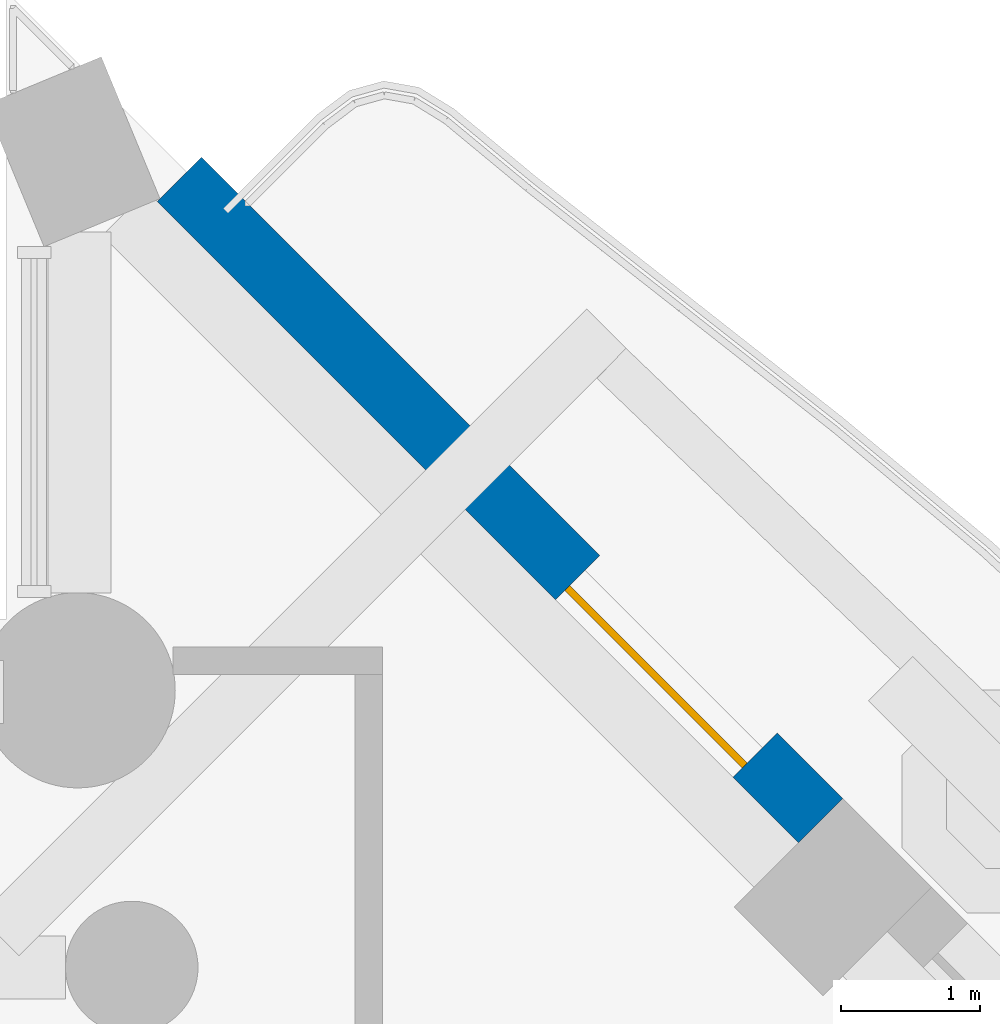
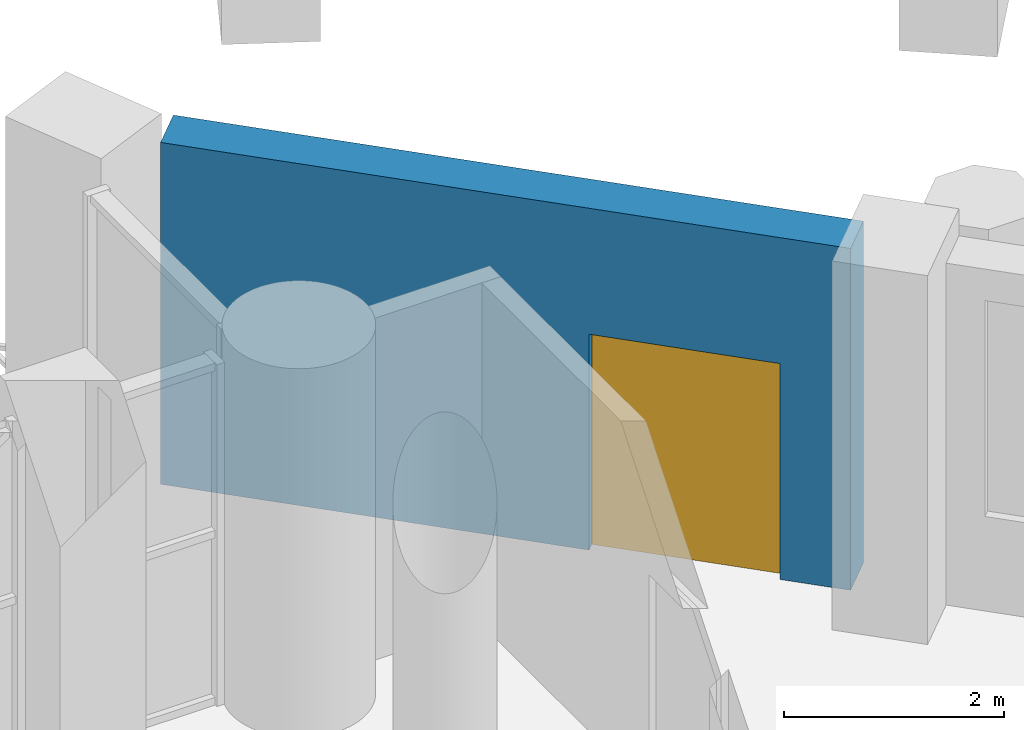
# One storey, part 7 of 15: 1 door, 1 wall, 1 opening.
"""IFC4 building model written with IfcOpenShell, lengths in metres."""

from ifc_helpers import new_model, si_unit, direction, frame, frame_2d, origin, place, context, subcontext, project, spatial, rectangle, extrude, material, layer, layer_set, type_object, element, fill, save


model = new_model("IFC4")

# Units and contexts
model_context = context("Model", 3, precision=1e-05, world=origin(), true_north=direction((0.0, 1.0)))
body_context = subcontext(model_context, "Body", "Model", "MODEL_VIEW")
ifc_project = project(units=[si_unit("LENGTHUNIT", "METRE"), si_unit("AREAUNIT", "SQUARE_METRE"), si_unit("VOLUMEUNIT", "CUBIC_METRE"), si_unit("PLANEANGLEUNIT", "RADIAN"), si_unit("MASSUNIT", "GRAM", prefix="KILO")], contexts=[model_context])

# Site, building, storey
site_placement = place(None, origin())
site = spatial("IfcSite", under=ifc_project, at=site_placement, CompositionType="ELEMENT")
building_placement = place(site_placement, origin())
building = spatial("IfcBuilding", under=site, at=building_placement, Name="Cypress Arch Tower", CompositionType="ELEMENT")
storey_placement = place(building_placement, frame((0.0, 0.0, 213.800048828125)))
storey = spatial("IfcBuildingStorey", under=building, at=storey_placement, Name="L47", CompositionType="ELEMENT", Elevation=213.800048828125)

# Wall, opening, door
ifc_material_1 = material(Name="Brick (red buff blend)", Category="masonry")
ifc_layer = layer(ifc_material_1, 0.449951171875)
ifc_layer_set = layer_set([ifc_layer], Name="Brick pier and spandrel wall BW450")
wall_type = type_object("IfcWallType", Name="Brick pier and spandrel wall BW450", PredefinedType="SOLIDWALL", material=ifc_layer_set)
wall_placement = place(storey_placement, frame((13.94091796875, 11.052978515625, 0.0), z_axis=(0.0, 0.0, 1.0), x_axis=(-0.707106781187, 0.707106781187, 0.0)))
wall = element("IfcWall", 1, at=wall_placement, inside=storey, type_object=wall_type, Name="Brick wall L47 B05.1", PredefinedType="SOLIDWALL", context=body_context, shape_type="SweptSolid", body=[
    extrude(rectangle(XDim=6.505126953125, YDim=0.449951171875, at=frame_2d((3.25244140625, 0.0))), origin(), (0.0, 0.0, 1.0), 3.800048828125),
])
opening_placement = place(wall_placement, frame((0.665283203125, 0.0, 0.0)))
opening = element("IfcOpeningElement", 2, at=opening_placement, cuts=wall, Name="Opening D-L47-B05.1.1", PredefinedType="OPENING", context=body_context, shape_type="SweptSolid", body=[
    extrude(rectangle(XDim=1.800048828125, YDim=2.39990234375, at=frame_2d((0.89990234375, 1.199951171875))), frame((0.0, 0.23486328125, 0.0), z_axis=(0.0, -1.0, 0.0), x_axis=(1.0, 0.0, 0.0)), (0.0, 0.0, 1.0), 0.469970703125),
])
ifc_material_2 = material(Name="Anodised aluminium, bronze finish, laminated low-emissivity double glazing, large-missile impact rated", Category="aluminium")
door_type = type_object("IfcDoorType", Name="Balcony sliding door 1800x2400", OperationType="SLIDING_TO_LEFT", PredefinedType="DOOR", material=ifc_material_2)
door_placement = place(opening_placement, origin())
door = element("IfcDoor", 3, at=door_placement, inside=storey, type_object=door_type, Name="Balcony door L47 B05.1.1", OperationType="SLIDING_TO_LEFT", OverallHeight=2.39990234375, OverallWidth=1.800048828125, PredefinedType="DOOR", context=body_context, shape_type="SweptSolid", body=[
    extrude(rectangle(XDim=1.800048828125, YDim=2.39990234375, at=frame_2d((0.89990234375, 1.199951171875))), frame((0.0, 0.1298828125, 0.0), z_axis=(0.0, -1.0, 0.0), x_axis=(1.0, 0.0, 0.0)), (0.0, 0.0, 1.0), 0.050048828125),
])
fill(opening, door)

save(model, "model.ifc")
